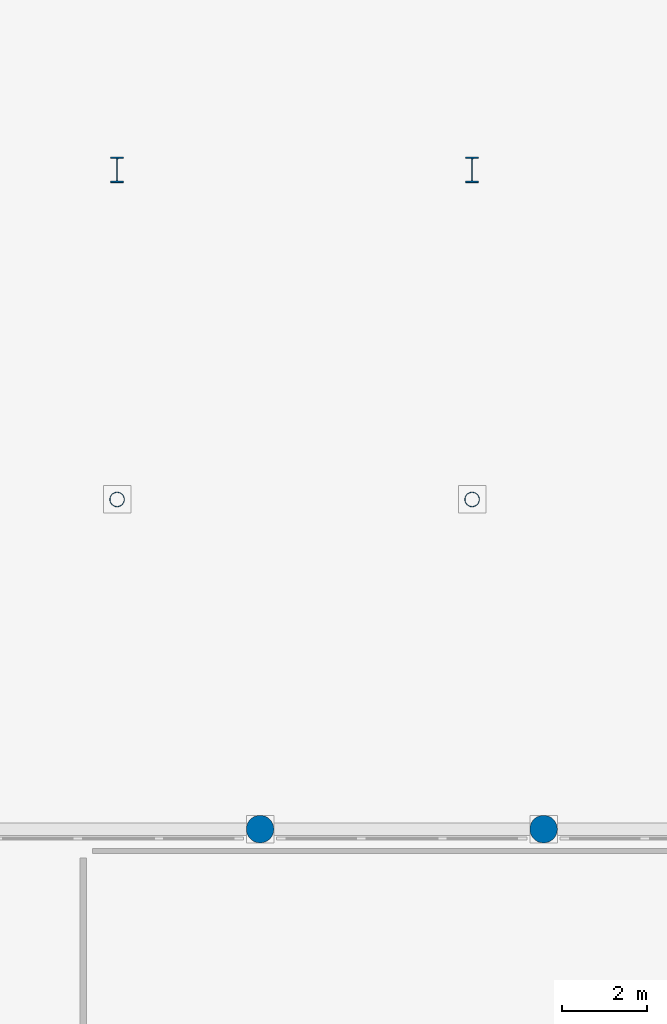
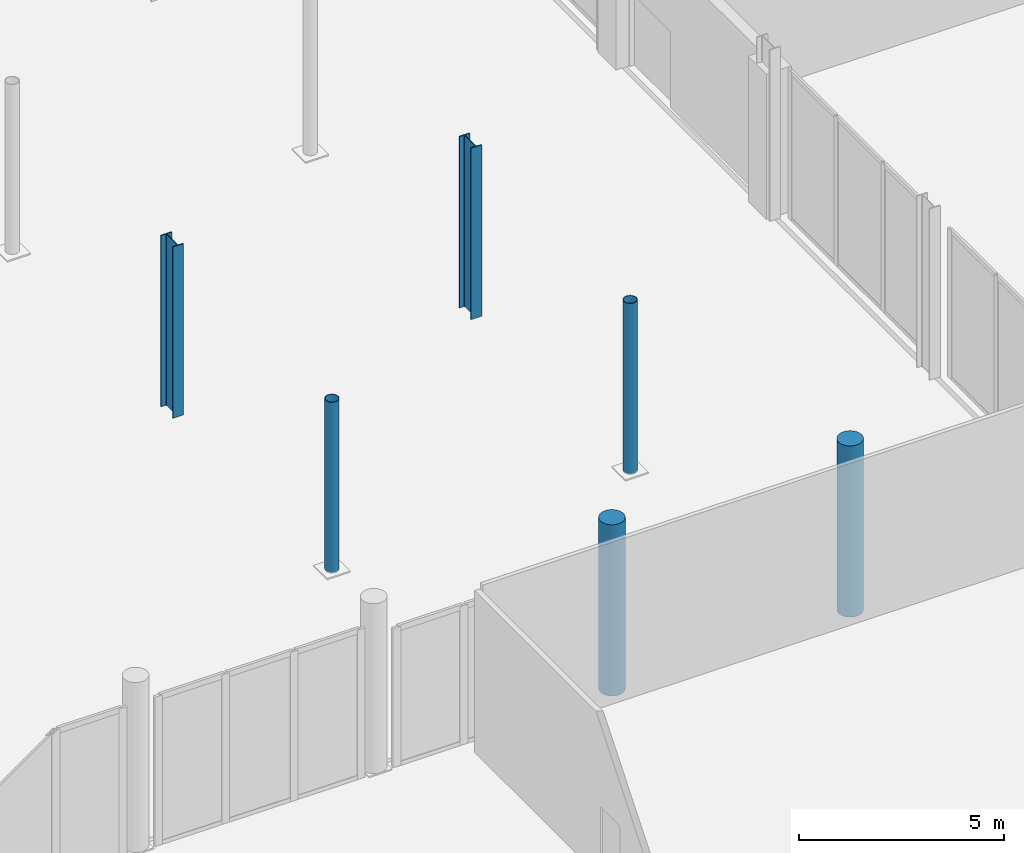
# One storey, part 7 of 80: 6 columns.
"""IFC4 building model written with IfcOpenShell, lengths in metres."""

from ifc_helpers import new_model, si_unit, direction, frame, origin, origin_2d, place, context, subcontext, project, spatial, circle, hollow_circle, i_section, extrude, material, material_profile, profile_set, type_object, element, save


model = new_model("IFC4")

# Units and contexts
model_context = context("Model", 3, precision=1e-05, world=origin(), true_north=direction((0.0, 1.0)))
body_context = subcontext(model_context, "Body", "Model", "MODEL_VIEW")
ifc_project = project(units=[si_unit("LENGTHUNIT", "METRE"), si_unit("AREAUNIT", "SQUARE_METRE"), si_unit("VOLUMEUNIT", "CUBIC_METRE"), si_unit("PLANEANGLEUNIT", "RADIAN"), si_unit("MASSUNIT", "GRAM", prefix="KILO")], contexts=[model_context])

# Site, building, storey
site_placement = place(None, origin())
site = spatial("IfcSite", under=ifc_project, at=site_placement, CompositionType="ELEMENT")
building_placement = place(site_placement, origin())
building = spatial("IfcBuilding", under=site, at=building_placement, Name="Nabrawat Pavilion Hospital", CompositionType="ELEMENT")
storey_placement = place(building_placement, origin())
storey = spatial("IfcBuildingStorey", under=building, at=storey_placement, Name="L00", CompositionType="ELEMENT", Elevation=0.0)

# Columns
ifc_material_1 = material(Name="Steel S355", Category="steel")
ifc_material_profile_1 = material_profile(ifc_material_1, i_section(OverallWidth=0.300048828125, OverallDepth=0.60009765625, WebThickness=0.015380859375, FlangeThickness=0.030029296875, FilletRadius=0.027099609375, at=origin_2d()), Name="HEB 600")
ifc_profile_set_1 = profile_set([ifc_material_profile_1], Name="Steel S355")
column_type_1 = type_object("IfcColumnType", Name="Composite Steel Column HEB 600", PredefinedType="COLUMN", material=ifc_profile_set_1)
for number, where, z_axis, x_axis, name in (
    (1, (109.199951171875, 54.60009765625, 0.0), (0.0, 0.0, 1.0), (1.0, 0.0, 0.0), "L00 Structural Column G-14-H"),
    (2, (117.60009765625, 54.60009765625, 0.0), (0.0, 0.0, 1.0), (1.0, 0.0, 0.0), "L00 Structural Column G-15-H"),
):
    element("IfcColumn", number, at=place(storey_placement, frame(where, z_axis=z_axis, x_axis=x_axis)), inside=storey, type_object=column_type_1, Name=name, PredefinedType="COLUMN", context=body_context, shape_type="SweptSolid", body=[
        extrude(i_section(OverallWidth=0.300048828125, OverallDepth=0.60009765625, WebThickness=0.015380859375, FlangeThickness=0.030029296875, FilletRadius=0.027099609375, at=origin_2d()), origin(), (0.0, 0.0, 1.0), 5.10009765625),
    ])
ifc_material_profile_2 = material_profile(ifc_material_1, hollow_circle(Radius=0.177734375, WallThickness=0.01611328125, at=origin_2d()), Name="CHS 355.6x16")
ifc_profile_set_2 = profile_set([ifc_material_profile_2], Name="Steel S355")
column_type_2 = type_object("IfcColumnType", Name="Courtyard Link Bridge Column CHS 355.6x16", PredefinedType="COLUMN", material=ifc_profile_set_2)
for number, where, z_axis, x_axis, name in (
    (3, (109.199951171875, 46.800048828125, 0.0), (0.0, 0.0, 1.0), (1.0, 0.0, 0.0), "L00 Structural Column G-14-G"),
    (4, (117.60009765625, 46.800048828125, 0.0), (0.0, 0.0, 1.0), (1.0, 0.0, 0.0), "L00 Structural Column G-15-G"),
):
    element("IfcColumn", number, at=place(storey_placement, frame(where, z_axis=z_axis, x_axis=x_axis)), inside=storey, type_object=column_type_2, Name=name, PredefinedType="COLUMN", context=body_context, shape_type="SweptSolid", body=[
        extrude(hollow_circle(Radius=0.177734375, WallThickness=0.01611328125, at=origin_2d()), origin(), (0.0, 0.0, 1.0), 5.10009765625),
    ])
ifc_material_2 = material(Name="Concrete C40/50", Category="concrete")
ifc_material_profile_3 = material_profile(ifc_material_2, circle(Radius=0.324951171875, at=origin_2d()), Name="RC D650")
ifc_profile_set_3 = profile_set([ifc_material_profile_3], Name="Concrete C40/50")
column_type_3 = type_object("IfcColumnType", Name="Expressed Pavilion Column D650", PredefinedType="COLUMN", material=ifc_profile_set_3)
for number, where, z_axis, x_axis, name in (
    (5, (112.583984375, 39.0, 0.0), (0.0, 0.0, 1.0), (1.0, 0.0, 0.0), "L00 Expressed Pavilion Column MH-N08"),
    (6, (119.2919921875, 39.0, 0.0), (0.0, 0.0, 1.0), (1.0, 0.0, 0.0), "L00 Expressed Pavilion Column MH-N09"),
):
    element("IfcColumn", number, at=place(storey_placement, frame(where, z_axis=z_axis, x_axis=x_axis)), inside=storey, type_object=column_type_3, Name=name, PredefinedType="COLUMN", context=body_context, shape_type="SweptSolid", body=[
        extrude(circle(Radius=0.324951171875, at=origin_2d()), origin(), (0.0, 0.0, 1.0), 5.10009765625),
    ])

save(model, "model.ifc")
